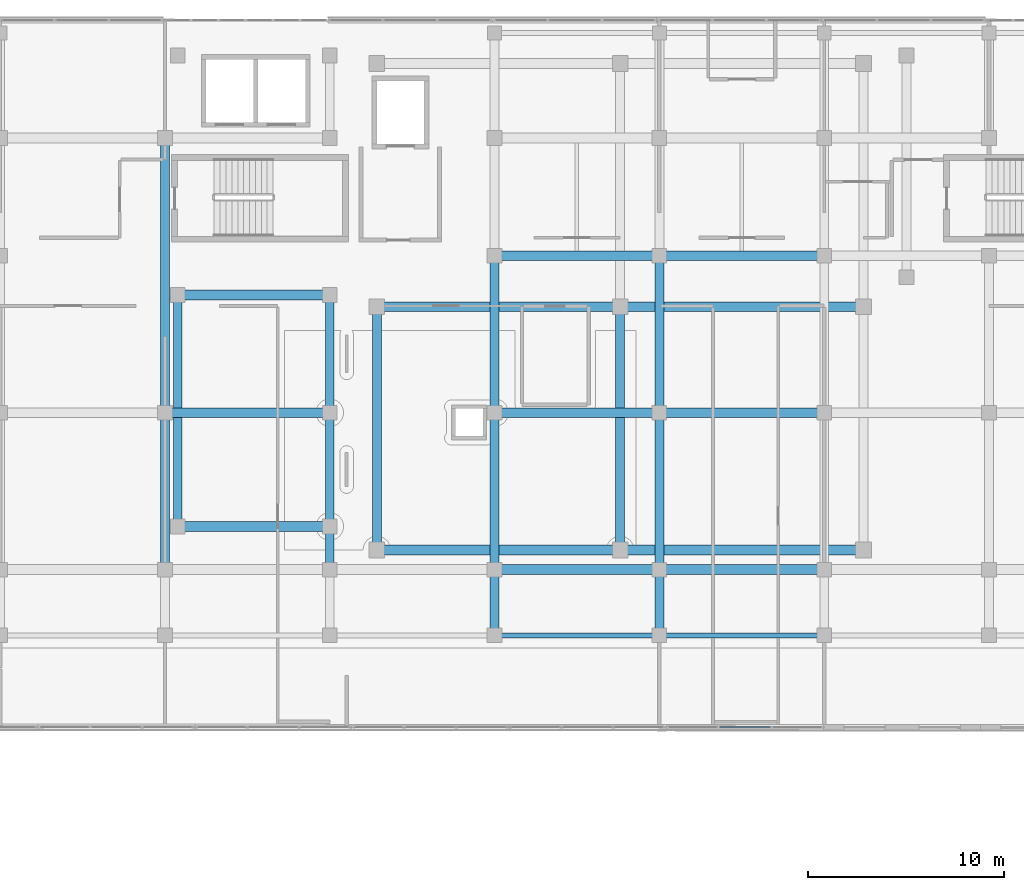
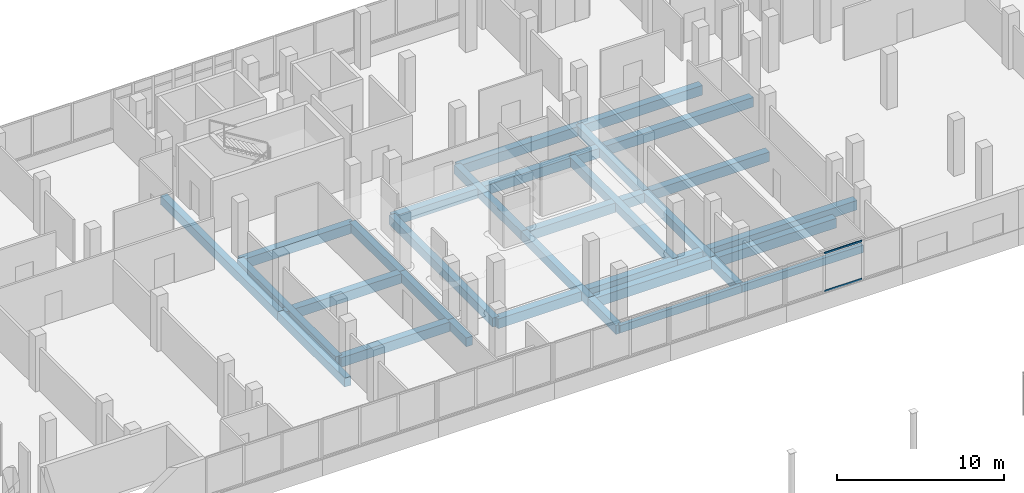
# One storey, part 32 of 101: 29 beams, 2 members, 1 element without a shape of its own.
"""IFC4 building model written with IfcOpenShell, lengths in metres."""

from ifc_helpers import new_model, si_unit, direction, frame, origin, origin_2d, place, context, subcontext, project, spatial, rectangle, hollow_rectangle, extrude, material, material_profile, profile_set, type_object, element, aggregate, save


model = new_model("IFC4")

# Units and contexts
model_context = context("Model", 3, precision=1e-05, world=origin(), true_north=direction((0.0, 1.0)))
body_context = subcontext(model_context, "Body", "Model", "MODEL_VIEW")
ifc_project = project(units=[si_unit("LENGTHUNIT", "METRE"), si_unit("AREAUNIT", "SQUARE_METRE"), si_unit("VOLUMEUNIT", "CUBIC_METRE"), si_unit("PLANEANGLEUNIT", "RADIAN"), si_unit("MASSUNIT", "GRAM", prefix="KILO")], contexts=[model_context])

# Site, building, storey
site_placement = place(None, origin())
site = spatial("IfcSite", under=ifc_project, at=site_placement, CompositionType="ELEMENT")
building_placement = place(site_placement, origin())
building = spatial("IfcBuilding", under=site, at=building_placement, Name="Selatvlak General Hospital", CompositionType="ELEMENT")
storey_placement = place(building_placement, frame((0.0, 0.0, 19.199951171875)))
storey = spatial("IfcBuildingStorey", under=building, at=storey_placement, Name="L04", CompositionType="ELEMENT", Elevation=19.199951171875)

# Beams
ifc_material_1 = material(Name="Concrete C40/50", Category="concrete")
ifc_material_profile_1 = material_profile(ifc_material_1, rectangle(XDim=0.5, YDim=0.699951171875, at=origin_2d()), Name="RC-BM 500x700")
ifc_profile_set_1 = profile_set([ifc_material_profile_1], Name="Concrete C40/50")
beam_type_1 = type_object("IfcBeamType", Name="BM-G03", PredefinedType="BEAM", material=ifc_profile_set_1)
beam_1_placement = place(storey_placement, frame((64.800048828125, 92.0, -0.655029296875), z_axis=(1.0, 0.0, 0.0), x_axis=(0.0, 1.0, 0.0)))
element("IfcBeam", 1, at=beam_1_placement, inside=storey, type_object=beam_type_1, Name="Beam BMR-L04-1560", PredefinedType="BEAM", context=body_context, shape_type="SweptSolid", body=[
    extrude(rectangle(XDim=0.5, YDim=0.699951171875, at=origin_2d()), origin(), (0.0, 0.0, 1.0), 8.39990234375),
])
beam_2_placement = place(storey_placement, frame((73.199951171875, 92.0, -0.655029296875), z_axis=(1.0, 0.0, 0.0), x_axis=(0.0, 1.0, 0.0)))
element("IfcBeam", 2, at=beam_2_placement, inside=storey, type_object=beam_type_1, Name="Beam BMR-L04-1561", PredefinedType="BEAM", context=body_context, shape_type="SweptSolid", body=[
    extrude(rectangle(XDim=0.5, YDim=0.699951171875, at=origin_2d()), origin(), (0.0, 0.0, 1.0), 8.400146484375),
])
beam_3_placement = place(storey_placement, frame((58.800048828125, 93.0, -0.655029296875), z_axis=(1.0, 0.0, 0.0), x_axis=(0.0, 1.0, 0.0)))
element("IfcBeam", 3, at=beam_3_placement, inside=storey, type_object=beam_type_1, Name="Beam BMR-L04-1575", PredefinedType="BEAM", context=body_context, shape_type="SweptSolid", body=[
    extrude(rectangle(XDim=0.5, YDim=0.699951171875, at=origin_2d()), origin(), (0.0, 0.0, 1.0), 12.39990234375),
])
beam_4_placement = place(storey_placement, frame((71.199951171875, 93.0, -0.655029296875), z_axis=(1.0, 0.0, 0.0), x_axis=(0.0, 1.0, 0.0)))
element("IfcBeam", 4, at=beam_4_placement, inside=storey, type_object=beam_type_1, Name="Beam BMR-L04-1576", PredefinedType="BEAM", context=body_context, shape_type="SweptSolid", body=[
    extrude(rectangle(XDim=0.5, YDim=0.699951171875, at=origin_2d()), origin(), (0.0, 0.0, 1.0), 12.400146484375),
])
beam_5_placement = place(storey_placement, frame((48.64990234375, 94.199951171875, -0.655029296875), z_axis=(1.0, 0.0, 0.0), x_axis=(0.0, 1.0, 0.0)))
element("IfcBeam", 5, at=beam_5_placement, inside=storey, type_object=beam_type_1, Name="Beam BMR-L04-1577", PredefinedType="BEAM", context=body_context, shape_type="SweptSolid", body=[
    extrude(rectangle(XDim=0.5, YDim=0.699951171875, at=origin_2d()), origin(), (0.0, 0.0, 1.0), 7.75),
])
for number, where, z_axis, x_axis, name in (
    (6, (48.0, 100.0, -0.655029296875), (1.0, 0.0, 0.0), (0.0, 1.0, 0.0), "Beam BMR-L04-1581"),
    (7, (64.800048828125, 100.0, -0.655029296875), (1.0, 0.0, 0.0), (0.0, 1.0, 0.0), "Beam BMR-L04-1582"),
):
    element("IfcBeam", number, at=place(storey_placement, frame(where, z_axis=z_axis, x_axis=x_axis)), inside=storey, type_object=beam_type_1, Name=name, PredefinedType="BEAM", context=body_context, shape_type="SweptSolid", body=[
        extrude(rectangle(XDim=0.5, YDim=0.699951171875, at=origin_2d()), origin(), (0.0, 0.0, 1.0), 8.39990234375),
    ])
beam_6_placement = place(storey_placement, frame((73.199951171875, 100.0, -0.655029296875), z_axis=(1.0, 0.0, 0.0), x_axis=(0.0, 1.0, 0.0)))
element("IfcBeam", 8, at=beam_6_placement, inside=storey, type_object=beam_type_1, Name="Beam BMR-L04-1583", PredefinedType="BEAM", context=body_context, shape_type="SweptSolid", body=[
    extrude(rectangle(XDim=0.5, YDim=0.699951171875, at=origin_2d()), origin(), (0.0, 0.0, 1.0), 8.400146484375),
])
beam_7_placement = place(storey_placement, frame((58.800048828125, 105.39990234375, -0.655029296875), z_axis=(1.0, 0.0, 0.0), x_axis=(0.0, 1.0, 0.0)))
element("IfcBeam", 9, at=beam_7_placement, inside=storey, type_object=beam_type_1, Name="Beam BMR-L04-1595", PredefinedType="BEAM", context=body_context, shape_type="SweptSolid", body=[
    extrude(rectangle(XDim=0.5, YDim=0.699951171875, at=origin_2d()), origin(), (0.0, 0.0, 1.0), 12.39990234375),
])
beam_8_placement = place(storey_placement, frame((71.199951171875, 105.39990234375, -0.655029296875), z_axis=(1.0, 0.0, 0.0), x_axis=(0.0, 1.0, 0.0)))
element("IfcBeam", 10, at=beam_8_placement, inside=storey, type_object=beam_type_1, Name="Beam BMR-L04-1596", PredefinedType="BEAM", context=body_context, shape_type="SweptSolid", body=[
    extrude(rectangle(XDim=0.5, YDim=0.699951171875, at=origin_2d()), origin(), (0.0, 0.0, 1.0), 12.400146484375),
])
beam_9_placement = place(storey_placement, frame((48.64990234375, 106.0, -0.655029296875), z_axis=(1.0, 0.0, 0.0), x_axis=(0.0, 1.0, 0.0)))
element("IfcBeam", 11, at=beam_9_placement, inside=storey, type_object=beam_type_1, Name="Beam BMR-L04-1597", PredefinedType="BEAM", context=body_context, shape_type="SweptSolid", body=[
    extrude(rectangle(XDim=0.5, YDim=0.699951171875, at=origin_2d()), origin(), (0.0, 0.0, 1.0), 7.75),
])
beam_10_placement = place(storey_placement, frame((64.800048828125, 108.0, -0.655029296875), z_axis=(1.0, 0.0, 0.0), x_axis=(0.0, 1.0, 0.0)))
element("IfcBeam", 12, at=beam_10_placement, inside=storey, type_object=beam_type_1, Name="Beam BMR-L04-1604", PredefinedType="BEAM", context=body_context, shape_type="SweptSolid", body=[
    extrude(rectangle(XDim=0.5, YDim=0.699951171875, at=origin_2d()), origin(), (0.0, 0.0, 1.0), 8.39990234375),
])
beam_11_placement = place(storey_placement, frame((73.199951171875, 108.0, -0.655029296875), z_axis=(1.0, 0.0, 0.0), x_axis=(0.0, 1.0, 0.0)))
element("IfcBeam", 13, at=beam_11_placement, inside=storey, type_object=beam_type_1, Name="Beam BMR-L04-1605", PredefinedType="BEAM", context=body_context, shape_type="SweptSolid", body=[
    extrude(rectangle(XDim=0.5, YDim=0.699951171875, at=origin_2d()), origin(), (0.0, 0.0, 1.0), 8.400146484375),
])
ifc_material_profile_2 = material_profile(ifc_material_1, rectangle(XDim=0.449951171875, YDim=0.64990234375, at=origin_2d()), Name="RC-BM 450x650")
ifc_profile_set_2 = profile_set([ifc_material_profile_2], Name="Concrete C40/50")
beam_type_2 = type_object("IfcBeamType", Name="BM-G04", PredefinedType="BEAM", material=ifc_profile_set_2)
beam_12_placement = place(storey_placement, frame((48.0, 92.0, -0.6298828125), z_axis=(0.0, 1.0, 0.0), x_axis=(-1.0, 0.0, 0.0)))
element("IfcBeam", 14, at=beam_12_placement, inside=storey, type_object=beam_type_2, Name="Beam BMR-L04-1659", PredefinedType="BEAM", context=body_context, shape_type="SweptSolid", body=[
    extrude(rectangle(XDim=0.449951171875, YDim=0.64990234375, at=origin_2d()), origin(), (0.0, 0.0, 1.0), 8.0),
])
beam_13_placement = place(storey_placement, frame((48.0, 100.0, -0.6298828125), z_axis=(0.0, 1.0, 0.0), x_axis=(-1.0, 0.0, 0.0)))
element("IfcBeam", 15, at=beam_13_placement, inside=storey, type_object=beam_type_2, Name="Beam BMR-L04-1660", PredefinedType="BEAM", context=body_context, shape_type="SweptSolid", body=[
    extrude(rectangle(XDim=0.449951171875, YDim=0.64990234375, at=origin_2d()), origin(), (0.0, 0.0, 1.0), 14.0),
])
beam_14_placement = place(storey_placement, frame((48.64990234375, 94.199951171875, -0.6298828125), z_axis=(0.0, 1.0, 0.0), x_axis=(-1.0, 0.0, 0.0)))
element("IfcBeam", 16, at=beam_14_placement, inside=storey, type_object=beam_type_2, Name="Beam BMR-L04-1661", PredefinedType="BEAM", context=body_context, shape_type="SweptSolid", body=[
    extrude(rectangle(XDim=0.449951171875, YDim=0.64990234375, at=origin_2d()), origin(), (0.0, 0.0, 1.0), 11.800048828125),
])
beam_15_placement = place(storey_placement, frame((56.39990234375, 92.0, -0.6298828125), z_axis=(0.0, 1.0, 0.0), x_axis=(-1.0, 0.0, 0.0)))
element("IfcBeam", 17, at=beam_15_placement, inside=storey, type_object=beam_type_2, Name="Beam BMR-L04-1663", PredefinedType="BEAM", context=body_context, shape_type="SweptSolid", body=[
    extrude(rectangle(XDim=0.449951171875, YDim=0.64990234375, at=origin_2d()), origin(), (0.0, 0.0, 1.0), 2.199951171875),
])
beam_16_placement = place(storey_placement, frame((56.39990234375, 94.199951171875, -0.6298828125), z_axis=(0.0, 1.0, 0.0), x_axis=(-1.0, 0.0, 0.0)))
element("IfcBeam", 18, at=beam_16_placement, inside=storey, type_object=beam_type_2, Name="Beam BMR-L04-1664", PredefinedType="BEAM", context=body_context, shape_type="SweptSolid", body=[
    extrude(rectangle(XDim=0.449951171875, YDim=0.64990234375, at=origin_2d()), origin(), (0.0, 0.0, 1.0), 5.800048828125),
])
beam_17_placement = place(storey_placement, frame((56.39990234375, 100.0, -0.6298828125), z_axis=(0.0, 1.0, 0.0), x_axis=(-1.0, 0.0, 0.0)))
element("IfcBeam", 19, at=beam_17_placement, inside=storey, type_object=beam_type_2, Name="Beam BMR-L04-1665", PredefinedType="BEAM", context=body_context, shape_type="SweptSolid", body=[
    extrude(rectangle(XDim=0.449951171875, YDim=0.64990234375, at=origin_2d()), origin(), (0.0, 0.0, 1.0), 6.0),
])
beam_18_placement = place(storey_placement, frame((58.800048828125, 93.0, -0.6298828125), z_axis=(0.0, 1.0, 0.0), x_axis=(-1.0, 0.0, 0.0)))
element("IfcBeam", 20, at=beam_18_placement, inside=storey, type_object=beam_type_2, Name="Beam BMR-L04-1667", PredefinedType="BEAM", context=body_context, shape_type="SweptSolid", body=[
    extrude(rectangle(XDim=0.449951171875, YDim=0.64990234375, at=origin_2d()), origin(), (0.0, 0.0, 1.0), 12.39990234375),
])
beam_19_placement = place(storey_placement, frame((64.800048828125, 88.64990234375, -0.6298828125), z_axis=(0.0, 1.0, 0.0), x_axis=(-1.0, 0.0, 0.0)))
element("IfcBeam", 21, at=beam_19_placement, inside=storey, type_object=beam_type_2, Name="Beam BMR-L04-1668", PredefinedType="BEAM", context=body_context, shape_type="SweptSolid", body=[
    extrude(rectangle(XDim=0.449951171875, YDim=0.64990234375, at=origin_2d()), origin(), (0.0, 0.0, 1.0), 3.35009765625),
])
for number, where, z_axis, x_axis, name in (
    (22, (64.800048828125, 92.0, -0.6298828125), (0.0, 1.0, 0.0), (-1.0, 0.0, 0.0), "Beam BMR-L04-1669"),
    (23, (64.800048828125, 100.0, -0.6298828125), (0.0, 1.0, 0.0), (-1.0, 0.0, 0.0), "Beam BMR-L04-1670"),
):
    element("IfcBeam", number, at=place(storey_placement, frame(where, z_axis=z_axis, x_axis=x_axis)), inside=storey, type_object=beam_type_2, Name=name, PredefinedType="BEAM", context=body_context, shape_type="SweptSolid", body=[
        extrude(rectangle(XDim=0.449951171875, YDim=0.64990234375, at=origin_2d()), origin(), (0.0, 0.0, 1.0), 8.0),
    ])
beam_20_placement = place(storey_placement, frame((71.199951171875, 93.0, -0.6298828125), z_axis=(0.0, 1.0, 0.0), x_axis=(-1.0, 0.0, 0.0)))
element("IfcBeam", 24, at=beam_20_placement, inside=storey, type_object=beam_type_2, Name="Beam BMR-L04-1673", PredefinedType="BEAM", context=body_context, shape_type="SweptSolid", body=[
    extrude(rectangle(XDim=0.449951171875, YDim=0.64990234375, at=origin_2d()), origin(), (0.0, 0.0, 1.0), 12.39990234375),
])
beam_21_placement = place(storey_placement, frame((73.199951171875, 88.64990234375, -0.6298828125), z_axis=(0.0, 1.0, 0.0), x_axis=(-1.0, 0.0, 0.0)))
element("IfcBeam", 25, at=beam_21_placement, inside=storey, type_object=beam_type_2, Name="Beam BMR-L04-1675", PredefinedType="BEAM", context=body_context, shape_type="SweptSolid", body=[
    extrude(rectangle(XDim=0.449951171875, YDim=0.64990234375, at=origin_2d()), origin(), (0.0, 0.0, 1.0), 3.35009765625),
])
for number, where, z_axis, x_axis, name in (
    (26, (73.199951171875, 92.0, -0.6298828125), (0.0, 1.0, 0.0), (-1.0, 0.0, 0.0), "Beam BMR-L04-1676"),
    (27, (73.199951171875, 100.0, -0.6298828125), (0.0, 1.0, 0.0), (-1.0, 0.0, 0.0), "Beam BMR-L04-1677"),
):
    element("IfcBeam", number, at=place(storey_placement, frame(where, z_axis=z_axis, x_axis=x_axis)), inside=storey, type_object=beam_type_2, Name=name, PredefinedType="BEAM", context=body_context, shape_type="SweptSolid", body=[
        extrude(rectangle(XDim=0.449951171875, YDim=0.64990234375, at=origin_2d()), origin(), (0.0, 0.0, 1.0), 8.0),
    ])
ifc_material_profile_3 = material_profile(ifc_material_1, rectangle(XDim=0.25, YDim=0.550048828125, at=origin_2d()), Name="RC-SP 250x550")
ifc_profile_set_3 = profile_set([ifc_material_profile_3], Name="Concrete C40/50")
beam_type_3 = type_object("IfcBeamType", Name="BM-SP2", PredefinedType="SPANDREL", material=ifc_profile_set_3)
beam_22_placement = place(storey_placement, frame((64.800048828125, 88.64990234375, -0.579833984375), z_axis=(1.0, 0.0, 0.0), x_axis=(0.0, 1.0, 0.0)))
element("IfcBeam", 28, at=beam_22_placement, inside=storey, type_object=beam_type_3, Name="Beam BMR-L04-1540", PredefinedType="SPANDREL", context=body_context, shape_type="SweptSolid", body=[
    extrude(rectangle(XDim=0.25, YDim=0.550048828125, at=origin_2d()), origin(), (0.0, 0.0, 1.0), 8.39990234375),
])
beam_23_placement = place(storey_placement, frame((73.199951171875, 88.64990234375, -0.579833984375), z_axis=(1.0, 0.0, 0.0), x_axis=(0.0, 1.0, 0.0)))
element("IfcBeam", 29, at=beam_23_placement, inside=storey, type_object=beam_type_3, Name="Beam BMR-L04-1541", PredefinedType="SPANDREL", context=body_context, shape_type="SweptSolid", body=[
    extrude(rectangle(XDim=0.25, YDim=0.550048828125, at=origin_2d()), origin(), (0.0, 0.0, 1.0), 8.400146484375),
])

# Curtain wall, members
ifc_material_2 = material(Name="Solar-control Low-E double glazing", Category="glass")
curtain_wall_type = type_object("IfcCurtainWallType", Name="CW-CW-02", PredefinedType="USERDEFINED", material=ifc_material_2)
curtain_wall_placement = place(storey_placement, origin())
curtain_wall = element("IfcCurtainWall", 30, at=curtain_wall_placement, inside=storey, type_object=curtain_wall_type, Name="Glazed facade curtain wall CW-L04-0511", ObjectType="UNITISED CURTAIN WALL", PredefinedType="USERDEFINED")
ifc_material_3 = material(Name="Dark anodised aluminium mullion", Category="aluminium")
ifc_material_profile_4 = material_profile(ifc_material_3, hollow_rectangle(XDim=0.06494140625, YDim=0.1201171875, WallThickness=0.00390625, at=origin_2d()), Name="AL-TRN 65x120x4")
ifc_profile_set_4 = profile_set([ifc_material_profile_4], Name="Dark anodised aluminium mullion")
member_type = type_object("IfcMemberType", Name="CWT-01", PredefinedType="USERDEFINED", material=ifc_profile_set_4)
member_1_placement = place(storey_placement, frame((78.861083984375, 83.962646484375, 0.97265625), z_axis=(-0.999999783017, 0.000658761385, 0.0), x_axis=(-0.000658761385, -0.999999783017, 0.0)))
member_1 = element("IfcMember", 31, at=member_1_placement, type_object=member_type, Name="CW-02 transom 2.1", ObjectType="TRANSOM", PredefinedType="USERDEFINED", context=body_context, shape_type="SweptSolid", body=[
    extrude(hollow_rectangle(XDim=0.06494140625, YDim=0.1201171875, WallThickness=0.00390625, at=origin_2d()), origin(), (0.0, 0.0, 1.0), 2.59423828125),
])
member_2_placement = place(storey_placement, frame((78.861083984375, 83.962646484375, 3.737548828125), z_axis=(-0.999999783017, 0.000658761385, 0.0), x_axis=(-0.000658761385, -0.999999783017, 0.0)))
member_2 = element("IfcMember", 32, at=member_2_placement, type_object=member_type, Name="CW-02 transom 2.2", ObjectType="TRANSOM", PredefinedType="USERDEFINED", context=body_context, shape_type="SweptSolid", body=[
    extrude(hollow_rectangle(XDim=0.06494140625, YDim=0.1201171875, WallThickness=0.00390625, at=origin_2d()), origin(), (0.0, 0.0, 1.0), 2.59423828125),
])
aggregate(curtain_wall, [member_1, member_2])

save(model, "model.ifc")
